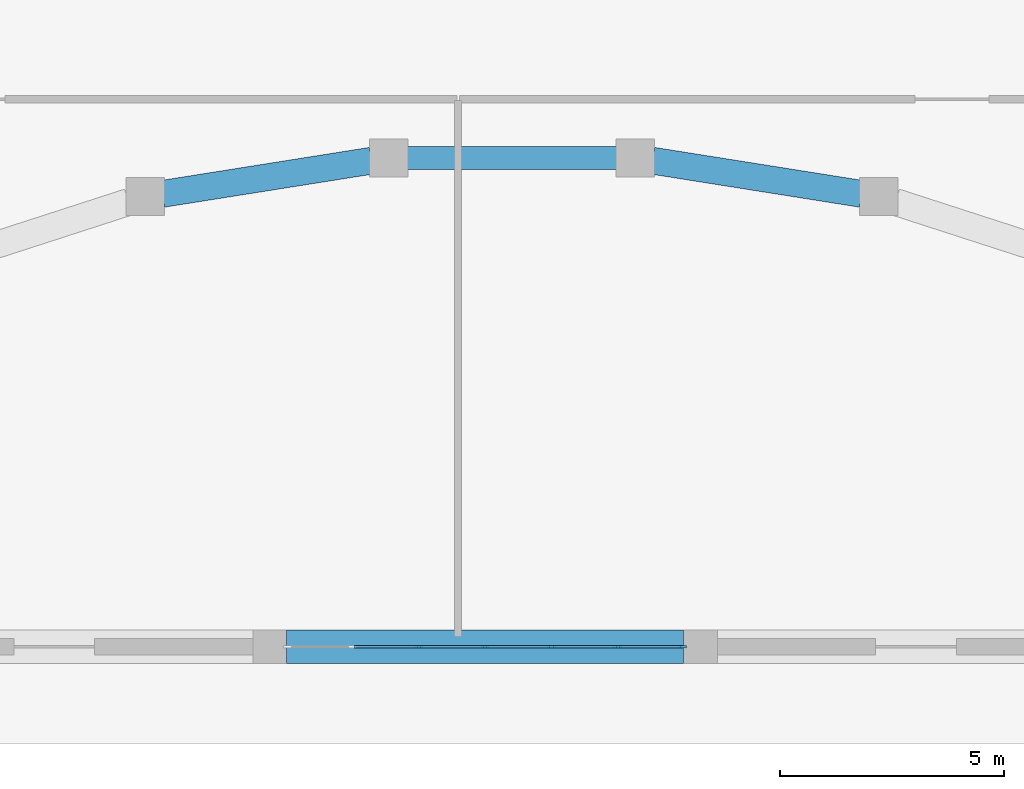
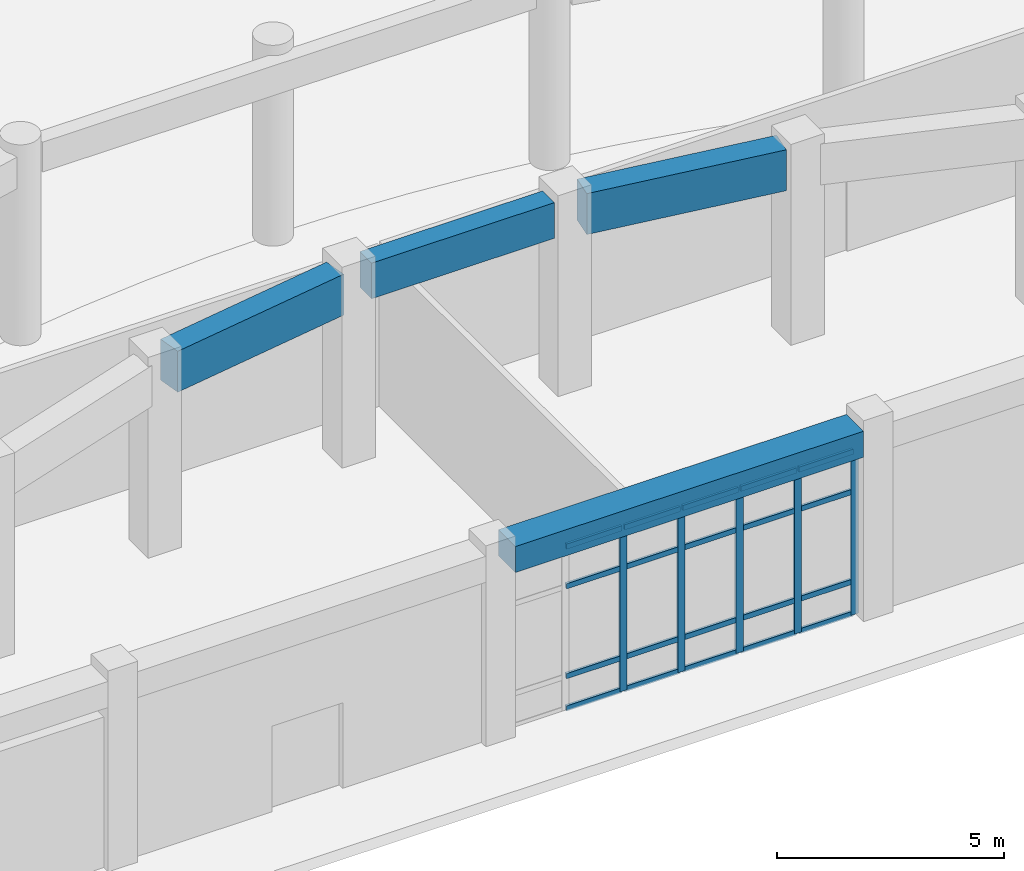
# One storey, part 15 of 70: 25 members, 4 beams, 1 element without a shape of its own.
"""IFC4 building model written with IfcOpenShell, lengths in metres."""

from ifc_helpers import new_model, si_unit, direction, frame, origin, origin_2d, place, context, subcontext, project, spatial, rectangle, extrude, material, layer, layer_set, material_profile, profile_set, type_object, element, aggregate, save


model = new_model("IFC4")

# Units and contexts
model_context = context("Model", 3, precision=1e-05, world=origin(), true_north=direction((0.0, 1.0)))
body_context = subcontext(model_context, "Body", "Model", "MODEL_VIEW")
ifc_project = project(units=[si_unit("LENGTHUNIT", "METRE"), si_unit("AREAUNIT", "SQUARE_METRE"), si_unit("VOLUMEUNIT", "CUBIC_METRE"), si_unit("PLANEANGLEUNIT", "RADIAN"), si_unit("MASSUNIT", "GRAM", prefix="KILO")], contexts=[model_context])

# Site, building, storey
site_placement = place(None, origin())
site = spatial("IfcSite", under=ifc_project, at=site_placement, CompositionType="ELEMENT")
building_placement = place(site_placement, origin())
building = spatial("IfcBuilding", under=site, at=building_placement, Name="Miralva Faculty of Natural Sciences", CompositionType="ELEMENT")
storey_placement = place(building_placement, origin())
storey = spatial("IfcBuildingStorey", under=building, at=storey_placement, Name="L00", CompositionType="ELEMENT", Elevation=0.0)

# Beams
ifc_material_1 = material(Name="Concrete C40/50", Category="concrete")
ifc_material_profile_1 = material_profile(ifc_material_1, rectangle(XDim=0.52001953125, YDim=0.9599609375, at=origin_2d()), Name="RC 520x960")
ifc_profile_set_1 = profile_set([ifc_material_profile_1], Name="Concrete C40/50")
beam_type_1 = type_object("IfcBeamType", Name="BM-BG20", PredefinedType="BEAM", material=ifc_profile_set_1)
beam_1_placement = place(storey_placement, frame((87.675048828125, 13.889892578125, 4.639892578125), z_axis=(1.0, 0.0, 0.0), x_axis=(0.0, 1.0, 0.0)))
element("IfcBeam", 1, at=beam_1_placement, inside=storey, type_object=beam_type_1, Name="Girder EW L00-19", PredefinedType="BEAM", context=body_context, shape_type="SweptSolid", body=[
    extrude(rectangle(XDim=0.52001953125, YDim=0.9599609375, at=origin_2d()), origin(), (0.0, 0.0, 1.0), 4.64990234375),
])
ifc_material_profile_2 = material_profile(ifc_material_1, rectangle(XDim=0.75, YDim=0.699951171875, at=origin_2d()), Name="RC 750x700")
ifc_profile_set_2 = profile_set([ifc_material_profile_2], Name="Concrete C40/50")
beam_type_2 = type_object("IfcBeamType", Name="BM-SP01", PredefinedType="SPANDREL", material=ifc_profile_set_2)
beam_2_placement = place(storey_placement, frame((84.97509765625, 3.0, 4.77001953125), z_axis=(1.0, 0.0, 0.0), x_axis=(0.0, 1.0, 0.0)))
element("IfcBeam", 2, at=beam_2_placement, inside=storey, type_object=beam_type_2, Name="Girder EW L00-8", PredefinedType="SPANDREL", context=body_context, shape_type="SweptSolid", body=[
    extrude(rectangle(XDim=0.75, YDim=0.699951171875, at=origin_2d()), origin(), (0.0, 0.0, 1.0), 8.849853515625),
])
ifc_material_profile_3 = material_profile(ifc_material_1, rectangle(XDim=0.60009765625, YDim=1.10009765625, at=origin_2d()), Name="RC 600x1100")
ifc_profile_set_3 = profile_set([ifc_material_profile_3], Name="Concrete C40/50")
beam_type_3 = type_object("IfcBeamType", Name="BM-TG01", PredefinedType="BEAM", material=ifc_profile_set_3)
for number, where, z_axis, x_axis, name in (
    (3, (97.78369140625, 13.09130859375, 4.60009765625), (-0.987648276041, 0.156687213367, 0.0), (-0.156687213367, -0.987648276041, 0.0), "Curved chord girder SHIN L00-3"),
    (4, (86.86376953125, 13.82861328125, 4.60009765625), (-0.987648276041, -0.156687213367, 0.0), (0.156687213367, -0.987648276041, 0.0), "Curved chord girder SHIN L00-5"),
):
    element("IfcBeam", number, at=place(storey_placement, frame(where, z_axis=z_axis, x_axis=x_axis)), inside=storey, type_object=beam_type_3, Name=name, PredefinedType="BEAM", context=body_context, shape_type="SweptSolid", body=[
        extrude(rectangle(XDim=0.60009765625, YDim=1.10009765625, at=origin_2d()), origin(), (0.0, 0.0, 1.0), 4.70556640625),
    ])

# Curtain wall, members
ifc_material_2 = material(Name="Laminated solar-control glass", Category="glass")
ifc_layer = layer(ifc_material_2, 0.179931640625, Name="CW-LEC-L00")
ifc_layer_set = layer_set([ifc_layer], Name="Laminated solar-control glass")
curtain_wall_type = type_object("IfcCurtainWallType", Name="CW-LEC-L00", PredefinedType="USERDEFINED", material=ifc_layer_set)
curtain_wall_placement = place(storey_placement, origin())
curtain_wall = element("IfcCurtainWall", 5, at=curtain_wall_placement, inside=storey, type_object=curtain_wall_type, Name="Curtain wall CW-07 L00-205", ObjectType="UNITISED CURTAIN WALL", PredefinedType="USERDEFINED")
ifc_material_3 = material(Name="Anodised aluminium", Category="aluminium")
ifc_material_profile_4 = material_profile(ifc_material_3, rectangle(XDim=0.06494140625, YDim=0.179931640625, at=origin_2d()), Name="MULLION 65x180")
ifc_profile_set_4 = profile_set([ifc_material_profile_4], Name="Anodised aluminium")
member_type_1 = type_object("IfcMemberType", Name="CW-M01", PredefinedType="MULLION", material=ifc_profile_set_4)
member_1_placement = place(storey_placement, frame((87.921630859375, 3.0, 0.0), z_axis=(0.0, 0.0, 1.0), x_axis=(0.0, 1.0, 0.0)))
member_1 = element("IfcMember", 6, at=member_1_placement, type_object=member_type_1, Name="CW-07 mullion 3", PredefinedType="MULLION", context=body_context, shape_type="SweptSolid", body=[
    extrude(rectangle(XDim=0.06494140625, YDim=0.179931640625, at=origin_2d()), origin(), (0.0, 0.0, 1.0), 4.4150390625),
])
member_2_placement = place(storey_placement, frame((89.39990234375, 3.0, 0.0), z_axis=(0.0, 0.0, 1.0), x_axis=(0.0, 1.0, 0.0)))
member_2 = element("IfcMember", 7, at=member_2_placement, type_object=member_type_1, Name="CW-07 mullion 4", PredefinedType="MULLION", context=body_context, shape_type="SweptSolid", body=[
    extrude(rectangle(XDim=0.06494140625, YDim=0.179931640625, at=origin_2d()), origin(), (0.0, 0.0, 1.0), 4.4150390625),
])
member_3_placement = place(storey_placement, frame((90.87841796875, 3.0, 0.0), z_axis=(0.0, 0.0, 1.0), x_axis=(0.0, 1.0, 0.0)))
member_3 = element("IfcMember", 8, at=member_3_placement, type_object=member_type_1, Name="CW-07 mullion 5", PredefinedType="MULLION", context=body_context, shape_type="SweptSolid", body=[
    extrude(rectangle(XDim=0.06494140625, YDim=0.179931640625, at=origin_2d()), origin(), (0.0, 0.0, 1.0), 4.4150390625),
])
member_4_placement = place(storey_placement, frame((92.356689453125, 3.0, 0.0), z_axis=(0.0, 0.0, 1.0), x_axis=(0.0, 1.0, 0.0)))
member_4 = element("IfcMember", 9, at=member_4_placement, type_object=member_type_1, Name="CW-07 mullion 6", PredefinedType="MULLION", context=body_context, shape_type="SweptSolid", body=[
    extrude(rectangle(XDim=0.06494140625, YDim=0.179931640625, at=origin_2d()), origin(), (0.0, 0.0, 1.0), 4.4150390625),
])
member_5_placement = place(storey_placement, frame((93.802490234375, 3.0, 0.0), z_axis=(0.0, 0.0, 1.0), x_axis=(0.0, 1.0, 0.0)))
member_5 = element("IfcMember", 10, at=member_5_placement, type_object=member_type_1, Name="CW-07 mullion 7", PredefinedType="MULLION", context=body_context, shape_type="SweptSolid", body=[
    extrude(rectangle(XDim=0.06494140625, YDim=0.179931640625, at=origin_2d()), origin(), (0.0, 0.0, 1.0), 4.4150390625),
])
ifc_material_profile_5 = material_profile(ifc_material_3, rectangle(XDim=0.06494140625, YDim=0.139892578125, at=origin_2d()), Name="TRANSOM 65x140")
ifc_profile_set_5 = profile_set([ifc_material_profile_5], Name="Anodised aluminium")
member_type_2 = type_object("IfcMemberType", Name="CW-T01", PredefinedType="USERDEFINED", material=ifc_profile_set_5)
member_6_placement = place(storey_placement, frame((86.475830078125, 3.0, 0.032470703125), z_axis=(1.0, 0.0, 0.0), x_axis=(0.0, 1.0, 0.0)))
member_6 = element("IfcMember", 11, at=member_6_placement, type_object=member_type_2, Name="CW-07 transom 2.1", ObjectType="TRANSOM", PredefinedType="USERDEFINED", context=body_context, shape_type="SweptSolid", body=[
    extrude(rectangle(XDim=0.06494140625, YDim=0.139892578125, at=origin_2d()), origin(), (0.0, 0.0, 1.0), 1.413330078125),
])
member_7_placement = place(storey_placement, frame((86.475830078125, 3.0, 0.89990234375), z_axis=(1.0, 0.0, 0.0), x_axis=(0.0, 1.0, 0.0)))
member_7 = element("IfcMember", 12, at=member_7_placement, type_object=member_type_2, Name="CW-07 transom 2.2", ObjectType="TRANSOM", PredefinedType="USERDEFINED", context=body_context, shape_type="SweptSolid", body=[
    extrude(rectangle(XDim=0.06494140625, YDim=0.139892578125, at=origin_2d()), origin(), (0.0, 0.0, 1.0), 1.413330078125),
])
member_8_placement = place(storey_placement, frame((86.475830078125, 3.0, 3.31494140625), z_axis=(1.0, 0.0, 0.0), x_axis=(0.0, 1.0, 0.0)))
member_8 = element("IfcMember", 13, at=member_8_placement, type_object=member_type_2, Name="CW-07 transom 2.3", ObjectType="TRANSOM", PredefinedType="USERDEFINED", context=body_context, shape_type="SweptSolid", body=[
    extrude(rectangle(XDim=0.06494140625, YDim=0.139892578125, at=origin_2d()), origin(), (0.0, 0.0, 1.0), 1.413330078125),
])
member_9_placement = place(storey_placement, frame((86.475830078125, 3.0, 4.382568359375), z_axis=(1.0, 0.0, 0.0), x_axis=(0.0, 1.0, 0.0)))
member_9 = element("IfcMember", 14, at=member_9_placement, type_object=member_type_2, Name="CW-07 transom 2.4", ObjectType="TRANSOM", PredefinedType="USERDEFINED", context=body_context, shape_type="SweptSolid", body=[
    extrude(rectangle(XDim=0.06494140625, YDim=0.139892578125, at=origin_2d()), origin(), (0.0, 0.0, 1.0), 1.413330078125),
])
member_10_placement = place(storey_placement, frame((87.9541015625, 3.0, 0.032470703125), z_axis=(1.0, 0.0, 0.0), x_axis=(0.0, 1.0, 0.0)))
member_10 = element("IfcMember", 15, at=member_10_placement, type_object=member_type_2, Name="CW-07 transom 3.1", ObjectType="TRANSOM", PredefinedType="USERDEFINED", context=body_context, shape_type="SweptSolid", body=[
    extrude(rectangle(XDim=0.06494140625, YDim=0.139892578125, at=origin_2d()), origin(), (0.0, 0.0, 1.0), 1.413330078125),
])
member_11_placement = place(storey_placement, frame((87.9541015625, 3.0, 0.89990234375), z_axis=(1.0, 0.0, 0.0), x_axis=(0.0, 1.0, 0.0)))
member_11 = element("IfcMember", 16, at=member_11_placement, type_object=member_type_2, Name="CW-07 transom 3.2", ObjectType="TRANSOM", PredefinedType="USERDEFINED", context=body_context, shape_type="SweptSolid", body=[
    extrude(rectangle(XDim=0.06494140625, YDim=0.139892578125, at=origin_2d()), origin(), (0.0, 0.0, 1.0), 1.413330078125),
])
member_12_placement = place(storey_placement, frame((87.9541015625, 3.0, 3.31494140625), z_axis=(1.0, 0.0, 0.0), x_axis=(0.0, 1.0, 0.0)))
member_12 = element("IfcMember", 17, at=member_12_placement, type_object=member_type_2, Name="CW-07 transom 3.3", ObjectType="TRANSOM", PredefinedType="USERDEFINED", context=body_context, shape_type="SweptSolid", body=[
    extrude(rectangle(XDim=0.06494140625, YDim=0.139892578125, at=origin_2d()), origin(), (0.0, 0.0, 1.0), 1.413330078125),
])
member_13_placement = place(storey_placement, frame((87.9541015625, 3.0, 4.382568359375), z_axis=(1.0, 0.0, 0.0), x_axis=(0.0, 1.0, 0.0)))
member_13 = element("IfcMember", 18, at=member_13_placement, type_object=member_type_2, Name="CW-07 transom 3.4", ObjectType="TRANSOM", PredefinedType="USERDEFINED", context=body_context, shape_type="SweptSolid", body=[
    extrude(rectangle(XDim=0.06494140625, YDim=0.139892578125, at=origin_2d()), origin(), (0.0, 0.0, 1.0), 1.413330078125),
])
member_14_placement = place(storey_placement, frame((89.4326171875, 3.0, 0.032470703125), z_axis=(1.0, 0.0, 0.0), x_axis=(0.0, 1.0, 0.0)))
member_14 = element("IfcMember", 19, at=member_14_placement, type_object=member_type_2, Name="CW-07 transom 4.1", ObjectType="TRANSOM", PredefinedType="USERDEFINED", context=body_context, shape_type="SweptSolid", body=[
    extrude(rectangle(XDim=0.06494140625, YDim=0.139892578125, at=origin_2d()), origin(), (0.0, 0.0, 1.0), 1.413330078125),
])
member_15_placement = place(storey_placement, frame((89.4326171875, 3.0, 0.89990234375), z_axis=(1.0, 0.0, 0.0), x_axis=(0.0, 1.0, 0.0)))
member_15 = element("IfcMember", 20, at=member_15_placement, type_object=member_type_2, Name="CW-07 transom 4.2", ObjectType="TRANSOM", PredefinedType="USERDEFINED", context=body_context, shape_type="SweptSolid", body=[
    extrude(rectangle(XDim=0.06494140625, YDim=0.139892578125, at=origin_2d()), origin(), (0.0, 0.0, 1.0), 1.413330078125),
])
member_16_placement = place(storey_placement, frame((89.4326171875, 3.0, 3.31494140625), z_axis=(1.0, 0.0, 0.0), x_axis=(0.0, 1.0, 0.0)))
member_16 = element("IfcMember", 21, at=member_16_placement, type_object=member_type_2, Name="CW-07 transom 4.3", ObjectType="TRANSOM", PredefinedType="USERDEFINED", context=body_context, shape_type="SweptSolid", body=[
    extrude(rectangle(XDim=0.06494140625, YDim=0.139892578125, at=origin_2d()), origin(), (0.0, 0.0, 1.0), 1.413330078125),
])
member_17_placement = place(storey_placement, frame((89.4326171875, 3.0, 4.382568359375), z_axis=(1.0, 0.0, 0.0), x_axis=(0.0, 1.0, 0.0)))
member_17 = element("IfcMember", 22, at=member_17_placement, type_object=member_type_2, Name="CW-07 transom 4.4", ObjectType="TRANSOM", PredefinedType="USERDEFINED", context=body_context, shape_type="SweptSolid", body=[
    extrude(rectangle(XDim=0.06494140625, YDim=0.139892578125, at=origin_2d()), origin(), (0.0, 0.0, 1.0), 1.413330078125),
])
member_18_placement = place(storey_placement, frame((90.910888671875, 3.0, 0.032470703125), z_axis=(1.0, 0.0, 0.0), x_axis=(0.0, 1.0, 0.0)))
member_18 = element("IfcMember", 23, at=member_18_placement, type_object=member_type_2, Name="CW-07 transom 5.1", ObjectType="TRANSOM", PredefinedType="USERDEFINED", context=body_context, shape_type="SweptSolid", body=[
    extrude(rectangle(XDim=0.06494140625, YDim=0.139892578125, at=origin_2d()), origin(), (0.0, 0.0, 1.0), 1.413330078125),
])
member_19_placement = place(storey_placement, frame((90.910888671875, 3.0, 0.89990234375), z_axis=(1.0, 0.0, 0.0), x_axis=(0.0, 1.0, 0.0)))
member_19 = element("IfcMember", 24, at=member_19_placement, type_object=member_type_2, Name="CW-07 transom 5.2", ObjectType="TRANSOM", PredefinedType="USERDEFINED", context=body_context, shape_type="SweptSolid", body=[
    extrude(rectangle(XDim=0.06494140625, YDim=0.139892578125, at=origin_2d()), origin(), (0.0, 0.0, 1.0), 1.413330078125),
])
member_20_placement = place(storey_placement, frame((90.910888671875, 3.0, 3.31494140625), z_axis=(1.0, 0.0, 0.0), x_axis=(0.0, 1.0, 0.0)))
member_20 = element("IfcMember", 25, at=member_20_placement, type_object=member_type_2, Name="CW-07 transom 5.3", ObjectType="TRANSOM", PredefinedType="USERDEFINED", context=body_context, shape_type="SweptSolid", body=[
    extrude(rectangle(XDim=0.06494140625, YDim=0.139892578125, at=origin_2d()), origin(), (0.0, 0.0, 1.0), 1.413330078125),
])
member_21_placement = place(storey_placement, frame((90.910888671875, 3.0, 4.382568359375), z_axis=(1.0, 0.0, 0.0), x_axis=(0.0, 1.0, 0.0)))
member_21 = element("IfcMember", 26, at=member_21_placement, type_object=member_type_2, Name="CW-07 transom 5.4", ObjectType="TRANSOM", PredefinedType="USERDEFINED", context=body_context, shape_type="SweptSolid", body=[
    extrude(rectangle(XDim=0.06494140625, YDim=0.139892578125, at=origin_2d()), origin(), (0.0, 0.0, 1.0), 1.413330078125),
])
member_22_placement = place(storey_placement, frame((92.38916015625, 3.0, 0.032470703125), z_axis=(1.0, 0.0, 0.0), x_axis=(0.0, 1.0, 0.0)))
member_22 = element("IfcMember", 27, at=member_22_placement, type_object=member_type_2, Name="CW-07 transom 6.1", ObjectType="TRANSOM", PredefinedType="USERDEFINED", context=body_context, shape_type="SweptSolid", body=[
    extrude(rectangle(XDim=0.06494140625, YDim=0.139892578125, at=origin_2d()), origin(), (0.0, 0.0, 1.0), 1.380859375),
])
member_23_placement = place(storey_placement, frame((92.38916015625, 3.0, 0.89990234375), z_axis=(1.0, 0.0, 0.0), x_axis=(0.0, 1.0, 0.0)))
member_23 = element("IfcMember", 28, at=member_23_placement, type_object=member_type_2, Name="CW-07 transom 6.2", ObjectType="TRANSOM", PredefinedType="USERDEFINED", context=body_context, shape_type="SweptSolid", body=[
    extrude(rectangle(XDim=0.06494140625, YDim=0.139892578125, at=origin_2d()), origin(), (0.0, 0.0, 1.0), 1.380859375),
])
member_24_placement = place(storey_placement, frame((92.38916015625, 3.0, 3.31494140625), z_axis=(1.0, 0.0, 0.0), x_axis=(0.0, 1.0, 0.0)))
member_24 = element("IfcMember", 29, at=member_24_placement, type_object=member_type_2, Name="CW-07 transom 6.3", ObjectType="TRANSOM", PredefinedType="USERDEFINED", context=body_context, shape_type="SweptSolid", body=[
    extrude(rectangle(XDim=0.06494140625, YDim=0.139892578125, at=origin_2d()), origin(), (0.0, 0.0, 1.0), 1.380859375),
])
member_25_placement = place(storey_placement, frame((92.38916015625, 3.0, 4.382568359375), z_axis=(1.0, 0.0, 0.0), x_axis=(0.0, 1.0, 0.0)))
member_25 = element("IfcMember", 30, at=member_25_placement, type_object=member_type_2, Name="CW-07 transom 6.4", ObjectType="TRANSOM", PredefinedType="USERDEFINED", context=body_context, shape_type="SweptSolid", body=[
    extrude(rectangle(XDim=0.06494140625, YDim=0.139892578125, at=origin_2d()), origin(), (0.0, 0.0, 1.0), 1.380859375),
])
aggregate(curtain_wall, [member_1, member_2, member_3, member_4, member_5, member_6, member_7, member_8, member_9, member_10, member_11, member_12, member_13, member_14, member_15, member_16, member_17, member_18, member_19, member_20, member_21, member_22, member_23, member_24, member_25])

save(model, "model.ifc")
